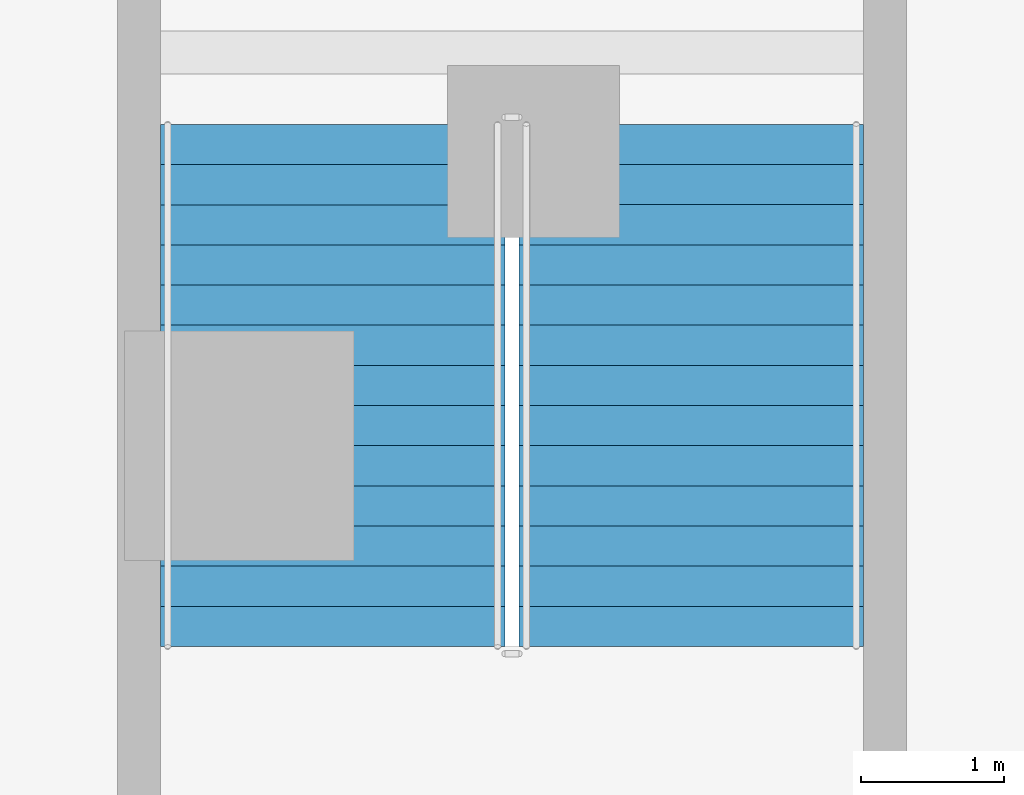
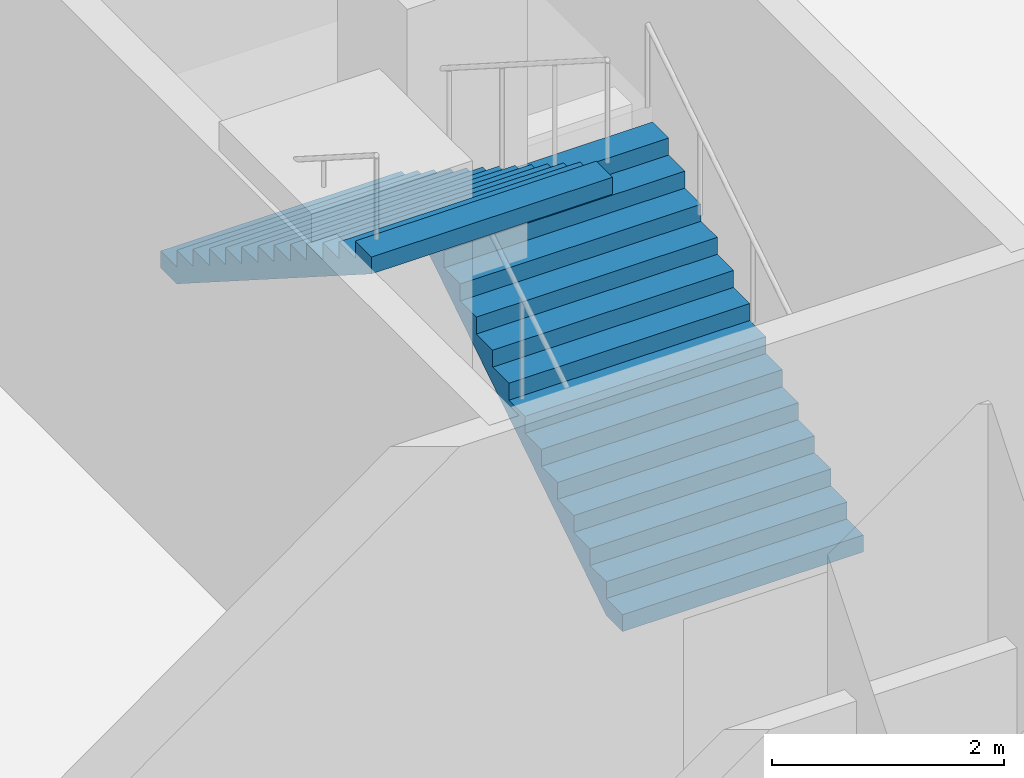
# One storey, part 21 of 35: 2 stair flights, 1 element without a shape of its own.
"""IFC4 building model written with IfcOpenShell, lengths in metres."""

from ifc_helpers import new_model, si_unit, direction, frame, origin, place, context, subcontext, project, spatial, triangles, source, transform, mapped, material, type_object, element, aggregate, save


model = new_model("IFC4")

# Units and contexts
model_context = context("Model", 3, precision=1e-05, world=origin(), true_north=direction((0.0, 1.0)))
body_context = subcontext(model_context, "Body", "Model", "MODEL_VIEW")
ifc_project = project(units=[si_unit("LENGTHUNIT", "METRE"), si_unit("AREAUNIT", "SQUARE_METRE"), si_unit("VOLUMEUNIT", "CUBIC_METRE"), si_unit("PLANEANGLEUNIT", "RADIAN"), si_unit("MASSUNIT", "GRAM", prefix="KILO")], contexts=[model_context])

# Site, building, storey
site_placement = place(None, origin())
site = spatial("IfcSite", under=ifc_project, at=site_placement, CompositionType="ELEMENT")
building_placement = place(site_placement, origin())
building = spatial("IfcBuilding", under=site, at=building_placement, Name="Ogive Portal Towers", CompositionType="ELEMENT")
storey_placement = place(building_placement, frame((0.0, 0.0, 23.5)))
storey = spatial("IfcBuildingStorey", under=building, at=storey_placement, Name="L04", CompositionType="ELEMENT", Elevation=23.5)

# Stair, stair flights
ifc_material = material(Name="Concrete C40/50", Category="concrete")
stair_type = type_object("IfcStairType", Name="INT-STAIR", PredefinedType="HALF_TURN_STAIR", material=ifc_material)
stair_placement = place(storey_placement, origin())
stair = element("IfcStair", 1, at=stair_placement, inside=storey, type_object=stair_type, Name="L04 Exit Stair ST-P1", PredefinedType="HALF_TURN_STAIR")
stair_flight_type = type_object("IfcStairFlightType", Name="INT-FLIGHT", PredefinedType="STRAIGHT", material=ifc_material)
shared_shape = source(origin(), body_context, "Body", "Tessellation", [
    triangles([(0.0, -1.199951171875, 0.0), (0.0, -0.6943359375, 0.0), (0.0, -0.35546875, 0.0), (0.0, -0.14990234375, 0.0), (0.0, -0.04443359375, 0.0), (0.0, -0.005615234375, 0.0), (0.0, 0.0, 0.0), (0.0, 0.005615234375, 0.0), (0.0, 0.04443359375, 0.0), (0.0, 0.14990234375, 0.0), (0.0, 0.35546875, 0.0), (0.0, 0.6943359375, 0.0), (0.0, 1.199951171875, 0.0), (0.0, -1.199951171875, 0.178466796875), (0.0, -0.6943359375, 0.178466796875), (0.0, -0.35546875, 0.178466796875), (0.0, -0.14990234375, 0.178466796875), (0.0, -0.04443359375, 0.178466796875), (0.0, -0.005615234375, 0.178466796875), (0.0, 0.0, 0.178466796875), (0.0, 0.005615234375, 0.178466796875), (0.0, 0.04443359375, 0.178466796875), (0.0, 0.14990234375, 0.178466796875), (0.0, 0.35546875, 0.178466796875), (0.0, 0.6943359375, 0.178466796875), (0.0, 1.199951171875, 0.178466796875), (0.280029296875, -1.199951171875, 0.178466796875), (0.280029296875, -0.6943359375, 0.178466796875), (0.280029296875, -0.35546875, 0.178466796875), (0.280029296875, -0.14990234375, 0.178466796875), (0.280029296875, -0.04443359375, 0.178466796875), (0.280029296875, -0.005615234375, 0.178466796875), (0.280029296875, 0.0, 0.178466796875), (0.280029296875, 0.005615234375, 0.178466796875), (0.280029296875, 0.04443359375, 0.178466796875), (0.280029296875, 0.14990234375, 0.178466796875), (0.280029296875, 0.35546875, 0.178466796875), (0.280029296875, 0.6943359375, 0.178466796875), (0.280029296875, 1.199951171875, 0.178466796875), (0.280029296875, -1.199951171875, 0.357177734375), (0.280029296875, -0.6943359375, 0.357177734375), (0.280029296875, -0.35546875, 0.357177734375), (0.280029296875, -0.14990234375, 0.357177734375), (0.280029296875, -0.04443359375, 0.357177734375), (0.280029296875, -0.005615234375, 0.357177734375), (0.280029296875, 0.0, 0.357177734375), (0.280029296875, 0.005615234375, 0.357177734375), (0.280029296875, 0.04443359375, 0.357177734375), (0.280029296875, 0.14990234375, 0.357177734375), (0.280029296875, 0.35546875, 0.357177734375), (0.280029296875, 0.6943359375, 0.357177734375), (0.280029296875, 1.199951171875, 0.357177734375), (0.56005859375, -1.199951171875, 0.357177734375), (0.56005859375, -0.6943359375, 0.357177734375), (0.56005859375, -0.35546875, 0.357177734375), (0.56005859375, -0.14990234375, 0.357177734375), (0.56005859375, -0.04443359375, 0.357177734375), (0.56005859375, -0.005615234375, 0.357177734375), (0.56005859375, 0.0, 0.357177734375), (0.56005859375, 0.005615234375, 0.357177734375), (0.56005859375, 0.04443359375, 0.357177734375), (0.56005859375, 0.14990234375, 0.357177734375), (0.56005859375, 0.35546875, 0.357177734375), (0.56005859375, 0.6943359375, 0.357177734375), (0.56005859375, 1.199951171875, 0.357177734375), (0.56005859375, -1.199951171875, 0.53564453125), (0.56005859375, -0.6943359375, 0.53564453125), (0.56005859375, -0.35546875, 0.53564453125), (0.56005859375, -0.14990234375, 0.53564453125), (0.56005859375, -0.04443359375, 0.53564453125), (0.56005859375, -0.005615234375, 0.53564453125), (0.56005859375, 0.0, 0.53564453125), (0.56005859375, 0.005615234375, 0.53564453125), (0.56005859375, 0.04443359375, 0.53564453125), (0.56005859375, 0.14990234375, 0.53564453125), (0.56005859375, 0.35546875, 0.53564453125), (0.56005859375, 0.6943359375, 0.53564453125), (0.56005859375, 1.199951171875, 0.53564453125), (0.840087890625, -1.199951171875, 0.53564453125), (0.840087890625, -0.6943359375, 0.53564453125), (0.840087890625, -0.35546875, 0.53564453125), (0.840087890625, -0.14990234375, 0.53564453125), (0.840087890625, -0.04443359375, 0.53564453125), (0.840087890625, -0.005615234375, 0.53564453125), (0.840087890625, 0.0, 0.53564453125), (0.840087890625, 0.005615234375, 0.53564453125), (0.840087890625, 0.04443359375, 0.53564453125), (0.840087890625, 0.14990234375, 0.53564453125), (0.840087890625, 0.35546875, 0.53564453125), (0.840087890625, 0.6943359375, 0.53564453125), (0.840087890625, 1.199951171875, 0.53564453125), (0.840087890625, -1.199951171875, 0.71435546875), (0.840087890625, -0.6943359375, 0.71435546875), (0.840087890625, -0.35546875, 0.71435546875), (0.840087890625, -0.14990234375, 0.71435546875), (0.840087890625, -0.04443359375, 0.71435546875), (0.840087890625, -0.005615234375, 0.71435546875), (0.840087890625, 0.0, 0.71435546875), (0.840087890625, 0.005615234375, 0.71435546875), (0.840087890625, 0.04443359375, 0.71435546875), (0.840087890625, 0.14990234375, 0.71435546875), (0.840087890625, 0.35546875, 0.71435546875), (0.840087890625, 0.6943359375, 0.71435546875), (0.840087890625, 1.199951171875, 0.71435546875), (1.1201171875, -1.199951171875, 0.71435546875), (1.1201171875, -0.6943359375, 0.71435546875), (1.1201171875, -0.35546875, 0.71435546875), (1.1201171875, -0.14990234375, 0.71435546875), (1.1201171875, -0.04443359375, 0.71435546875), (1.1201171875, -0.005615234375, 0.71435546875), (1.1201171875, 0.0, 0.71435546875), (1.1201171875, 0.005615234375, 0.71435546875), (1.1201171875, 0.04443359375, 0.71435546875), (1.1201171875, 0.14990234375, 0.71435546875), (1.1201171875, 0.35546875, 0.71435546875), (1.1201171875, 0.6943359375, 0.71435546875), (1.1201171875, 1.199951171875, 0.71435546875), (1.1201171875, -1.199951171875, 0.892822265625), (1.1201171875, -0.6943359375, 0.892822265625), (1.1201171875, -0.35546875, 0.892822265625), (1.1201171875, -0.14990234375, 0.892822265625), (1.1201171875, -0.04443359375, 0.892822265625), (1.1201171875, -0.005615234375, 0.892822265625), (1.1201171875, 0.0, 0.892822265625), (1.1201171875, 0.005615234375, 0.892822265625), (1.1201171875, 0.04443359375, 0.892822265625), (1.1201171875, 0.14990234375, 0.892822265625), (1.1201171875, 0.35546875, 0.892822265625), (1.1201171875, 0.6943359375, 0.892822265625), (1.1201171875, 1.199951171875, 0.892822265625), (1.39990234375, -1.199951171875, 0.892822265625), (1.39990234375, -0.6943359375, 0.892822265625), (1.39990234375, -0.35546875, 0.892822265625), (1.39990234375, -0.14990234375, 0.892822265625), (1.39990234375, -0.04443359375, 0.892822265625), (1.39990234375, -0.005615234375, 0.892822265625), (1.39990234375, 0.0, 0.892822265625), (1.39990234375, 0.005615234375, 0.892822265625), (1.39990234375, 0.04443359375, 0.892822265625), (1.39990234375, 0.14990234375, 0.892822265625), (1.39990234375, 0.35546875, 0.892822265625), (1.39990234375, 0.6943359375, 0.892822265625), (1.39990234375, 1.199951171875, 0.892822265625), (1.39990234375, -1.199951171875, 1.071533203125), (1.39990234375, -0.6943359375, 1.071533203125), (1.39990234375, -0.35546875, 1.071533203125), (1.39990234375, -0.14990234375, 1.071533203125), (1.39990234375, -0.04443359375, 1.071533203125), (1.39990234375, -0.005615234375, 1.071533203125), (1.39990234375, 0.0, 1.071533203125), (1.39990234375, 0.005615234375, 1.071533203125), (1.39990234375, 0.04443359375, 1.071533203125), (1.39990234375, 0.14990234375, 1.071533203125), (1.39990234375, 0.35546875, 1.071533203125), (1.39990234375, 0.6943359375, 1.071533203125), (1.39990234375, 1.199951171875, 1.071533203125), (1.679931640625, -1.199951171875, 1.071533203125), (1.679931640625, -0.6943359375, 1.071533203125), (1.679931640625, -0.35546875, 1.071533203125), (1.679931640625, -0.14990234375, 1.071533203125), (1.679931640625, -0.04443359375, 1.071533203125), (1.679931640625, -0.005615234375, 1.071533203125), (1.679931640625, 0.0, 1.071533203125), (1.679931640625, 0.005615234375, 1.071533203125), (1.679931640625, 0.04443359375, 1.071533203125), (1.679931640625, 0.14990234375, 1.071533203125), (1.679931640625, 0.35546875, 1.071533203125), (1.679931640625, 0.6943359375, 1.071533203125), (1.679931640625, 1.199951171875, 1.071533203125), (1.679931640625, -1.199951171875, 1.25), (1.679931640625, -0.6943359375, 1.25), (1.679931640625, -0.35546875, 1.25), (1.679931640625, -0.14990234375, 1.25), (1.679931640625, -0.04443359375, 1.25), (1.679931640625, -0.005615234375, 1.25), (1.679931640625, 0.0, 1.25), (1.679931640625, 0.005615234375, 1.25), (1.679931640625, 0.04443359375, 1.25), (1.679931640625, 0.14990234375, 1.25), (1.679931640625, 0.35546875, 1.25), (1.679931640625, 0.6943359375, 1.25), (1.679931640625, 1.199951171875, 1.25), (1.9599609375, -1.199951171875, 1.25), (1.9599609375, -0.6943359375, 1.25), (1.9599609375, -0.35546875, 1.25), (1.9599609375, -0.14990234375, 1.25), (1.9599609375, -0.04443359375, 1.25), (1.9599609375, -0.005615234375, 1.25), (1.9599609375, 0.0, 1.25), (1.9599609375, 0.005615234375, 1.25), (1.9599609375, 0.04443359375, 1.25), (1.9599609375, 0.14990234375, 1.25), (1.9599609375, 0.35546875, 1.25), (1.9599609375, 0.6943359375, 1.25), (1.9599609375, 1.199951171875, 1.25), (1.9599609375, -1.199951171875, 1.428466796875), (1.9599609375, -0.6943359375, 1.428466796875), (1.9599609375, -0.35546875, 1.428466796875), (1.9599609375, -0.14990234375, 1.428466796875), (1.9599609375, -0.04443359375, 1.428466796875), (1.9599609375, -0.005615234375, 1.428466796875), (1.9599609375, 0.0, 1.428466796875), (1.9599609375, 0.005615234375, 1.428466796875), (1.9599609375, 0.04443359375, 1.428466796875), (1.9599609375, 0.14990234375, 1.428466796875), (1.9599609375, 0.35546875, 1.428466796875), (1.9599609375, 0.6943359375, 1.428466796875), (1.9599609375, 1.199951171875, 1.428466796875), (2.239990234375, -1.199951171875, 1.428466796875), (2.239990234375, -0.6943359375, 1.428466796875), (2.239990234375, -0.35546875, 1.428466796875), (2.239990234375, -0.14990234375, 1.428466796875), (2.239990234375, -0.04443359375, 1.428466796875), (2.239990234375, -0.005615234375, 1.428466796875), (2.239990234375, 0.0, 1.428466796875), (2.239990234375, 0.005615234375, 1.428466796875), (2.239990234375, 0.04443359375, 1.428466796875), (2.239990234375, 0.14990234375, 1.428466796875), (2.239990234375, 0.35546875, 1.428466796875), (2.239990234375, 0.6943359375, 1.428466796875), (2.239990234375, 1.199951171875, 1.428466796875), (2.239990234375, -1.199951171875, 1.607177734375), (2.239990234375, -0.6943359375, 1.607177734375), (2.239990234375, -0.35546875, 1.607177734375), (2.239990234375, -0.14990234375, 1.607177734375), (2.239990234375, -0.04443359375, 1.607177734375), (2.239990234375, -0.005615234375, 1.607177734375), (2.239990234375, 0.0, 1.607177734375), (2.239990234375, 0.005615234375, 1.607177734375), (2.239990234375, 0.04443359375, 1.607177734375), (2.239990234375, 0.14990234375, 1.607177734375), (2.239990234375, 0.35546875, 1.607177734375), (2.239990234375, 0.6943359375, 1.607177734375), (2.239990234375, 1.199951171875, 1.607177734375), (2.52001953125, -1.199951171875, 1.607177734375), (2.52001953125, -0.6943359375, 1.607177734375), (2.52001953125, -0.35546875, 1.607177734375), (2.52001953125, -0.14990234375, 1.607177734375), (2.52001953125, -0.04443359375, 1.607177734375), (2.52001953125, -0.005615234375, 1.607177734375), (2.52001953125, 0.0, 1.607177734375), (2.52001953125, 0.005615234375, 1.607177734375), (2.52001953125, 0.04443359375, 1.607177734375), (2.52001953125, 0.14990234375, 1.607177734375), (2.52001953125, 0.35546875, 1.607177734375), (2.52001953125, 0.6943359375, 1.607177734375), (2.52001953125, 1.199951171875, 1.607177734375), (2.52001953125, -1.199951171875, 1.78564453125), (2.52001953125, -0.6943359375, 1.78564453125), (2.52001953125, -0.35546875, 1.78564453125), (2.52001953125, -0.14990234375, 1.78564453125), (2.52001953125, -0.04443359375, 1.78564453125), (2.52001953125, -0.005615234375, 1.78564453125), (2.52001953125, 0.0, 1.78564453125), (2.52001953125, 0.005615234375, 1.78564453125), (2.52001953125, 0.04443359375, 1.78564453125), (2.52001953125, 0.14990234375, 1.78564453125), (2.52001953125, 0.35546875, 1.78564453125), (2.52001953125, 0.6943359375, 1.78564453125), (2.52001953125, 1.199951171875, 1.78564453125), (2.800048828125, -1.199951171875, 1.78564453125), (2.800048828125, -0.6943359375, 1.78564453125), (2.800048828125, -0.35546875, 1.78564453125), (2.800048828125, -0.14990234375, 1.78564453125), (2.800048828125, -0.04443359375, 1.78564453125), (2.800048828125, -0.005615234375, 1.78564453125), (2.800048828125, 0.0, 1.78564453125), (2.800048828125, 0.005615234375, 1.78564453125), (2.800048828125, 0.04443359375, 1.78564453125), (2.800048828125, 0.14990234375, 1.78564453125), (2.800048828125, 0.35546875, 1.78564453125), (2.800048828125, 0.6943359375, 1.78564453125), (2.800048828125, 1.199951171875, 1.78564453125), (2.800048828125, -1.199951171875, 1.96435546875), (2.800048828125, -0.6943359375, 1.96435546875), (2.800048828125, -0.35546875, 1.96435546875), (2.800048828125, -0.14990234375, 1.96435546875), (2.800048828125, -0.04443359375, 1.96435546875), (2.800048828125, -0.005615234375, 1.96435546875), (2.800048828125, 0.0, 1.96435546875), (2.800048828125, 0.005615234375, 1.96435546875), (2.800048828125, 0.04443359375, 1.96435546875), (2.800048828125, 0.14990234375, 1.96435546875), (2.800048828125, 0.35546875, 1.96435546875), (2.800048828125, 0.6943359375, 1.96435546875), (2.800048828125, 1.199951171875, 1.96435546875), (3.080078125, -1.199951171875, 1.96435546875), (3.080078125, -0.6943359375, 1.96435546875), (3.080078125, -0.35546875, 1.96435546875), (3.080078125, -0.14990234375, 1.96435546875), (3.080078125, -0.04443359375, 1.96435546875), (3.080078125, -0.005615234375, 1.96435546875), (3.080078125, 0.0, 1.96435546875), (3.080078125, 0.005615234375, 1.96435546875), (3.080078125, 0.04443359375, 1.96435546875), (3.080078125, 0.14990234375, 1.96435546875), (3.080078125, 0.35546875, 1.96435546875), (3.080078125, 0.6943359375, 1.96435546875), (3.080078125, 1.199951171875, 1.96435546875), (3.080078125, -1.199951171875, 2.142822265625), (3.080078125, -0.6943359375, 2.142822265625), (3.080078125, -0.35546875, 2.142822265625), (3.080078125, -0.14990234375, 2.142822265625), (3.080078125, -0.04443359375, 2.142822265625), (3.080078125, -0.005615234375, 2.142822265625), (3.080078125, 0.0, 2.142822265625), (3.080078125, 0.005615234375, 2.142822265625), (3.080078125, 0.04443359375, 2.142822265625), (3.080078125, 0.14990234375, 2.142822265625), (3.080078125, 0.35546875, 2.142822265625), (3.080078125, 0.6943359375, 2.142822265625), (3.080078125, 1.199951171875, 2.142822265625), (3.360107421875, -1.199951171875, 2.142822265625), (3.360107421875, -0.6943359375, 2.142822265625), (3.360107421875, -0.35546875, 2.142822265625), (3.360107421875, -0.14990234375, 2.142822265625), (3.360107421875, -0.04443359375, 2.142822265625), (3.360107421875, -0.005615234375, 2.142822265625), (3.360107421875, 0.0, 2.142822265625), (3.360107421875, 0.005615234375, 2.142822265625), (3.360107421875, 0.04443359375, 2.142822265625), (3.360107421875, 0.14990234375, 2.142822265625), (3.360107421875, 0.35546875, 2.142822265625), (3.360107421875, 0.6943359375, 2.142822265625), (3.360107421875, 1.199951171875, 2.142822265625), (3.360107421875, -1.199951171875, 2.321533203125), (3.360107421875, -0.6943359375, 2.321533203125), (3.360107421875, -0.35546875, 2.321533203125), (3.360107421875, -0.14990234375, 2.321533203125), (3.360107421875, -0.04443359375, 2.321533203125), (3.360107421875, -0.005615234375, 2.321533203125), (3.360107421875, 0.0, 2.321533203125), (3.360107421875, 0.005615234375, 2.321533203125), (3.360107421875, 0.04443359375, 2.321533203125), (3.360107421875, 0.14990234375, 2.321533203125), (3.360107421875, 0.35546875, 2.321533203125), (3.360107421875, 0.6943359375, 2.321533203125), (3.360107421875, 1.199951171875, 2.321533203125), (3.639892578125, -1.199951171875, 2.321533203125), (3.639892578125, -0.6943359375, 2.321533203125), (3.639892578125, -0.35546875, 2.321533203125), (3.639892578125, -0.14990234375, 2.321533203125), (3.639892578125, -0.04443359375, 2.321533203125), (3.639892578125, -0.005615234375, 2.321533203125), (3.639892578125, 0.0, 2.321533203125), (3.639892578125, 0.005615234375, 2.321533203125), (3.639892578125, 0.04443359375, 2.321533203125), (3.639892578125, 0.14990234375, 2.321533203125), (3.639892578125, 0.35546875, 2.321533203125), (3.639892578125, 0.6943359375, 2.321533203125), (3.639892578125, 1.199951171875, 2.321533203125), (3.639892578125, -1.199951171875, 2.1435546875), (3.639892578125, -0.6943359375, 2.1435546875), (3.639892578125, -0.35546875, 2.1435546875), (3.639892578125, -0.14990234375, 2.1435546875), (3.639892578125, -0.04443359375, 2.1435546875), (3.639892578125, -0.005615234375, 2.1435546875), (3.639892578125, 0.0, 2.1435546875), (3.639892578125, 0.005615234375, 2.1435546875), (3.639892578125, 0.04443359375, 2.1435546875), (3.639892578125, 0.14990234375, 2.1435546875), (3.639892578125, 0.35546875, 2.1435546875), (3.639892578125, 0.6943359375, 2.1435546875), (3.639892578125, 1.199951171875, 2.1435546875), (0.27880859375, -1.199951171875, 0.0), (0.27880859375, -0.6943359375, 0.0), (0.27880859375, -0.35546875, 0.0), (0.27880859375, -0.14990234375, 0.0), (0.27880859375, -0.04443359375, 0.0), (0.27880859375, -0.005615234375, 0.0), (0.27880859375, 0.0, 0.0), (0.27880859375, 0.005615234375, 0.0), (0.27880859375, 0.04443359375, 0.0), (0.27880859375, 0.14990234375, 0.0), (0.27880859375, 0.35546875, 0.0), (0.27880859375, 0.6943359375, 0.0), (0.27880859375, 1.199951171875, 0.0)], [[1, 14, 15], [1, 15, 2], [2, 15, 16], [2, 16, 3], [3, 16, 17], [3, 17, 4], [4, 17, 18], [4, 18, 5], [5, 18, 19], [5, 19, 6], [6, 19, 20], [6, 20, 7], [7, 20, 21], [7, 21, 8], [8, 21, 22], [8, 22, 9], [9, 22, 23], [9, 23, 10], [10, 23, 24], [10, 24, 11], [11, 24, 25], [11, 25, 12], [12, 25, 26], [12, 26, 13], [14, 27, 28], [14, 28, 15], [15, 28, 29], [15, 29, 16], [16, 29, 30], [16, 30, 17], [17, 30, 31], [17, 31, 18], [18, 31, 32], [18, 32, 19], [19, 32, 33], [19, 33, 20], [20, 33, 34], [20, 34, 21], [21, 34, 35], [21, 35, 22], [22, 35, 36], [22, 36, 23], [23, 36, 37], [23, 37, 24], [24, 37, 38], [24, 38, 25], [25, 38, 39], [25, 39, 26], [27, 40, 41], [27, 41, 28], [28, 41, 42], [28, 42, 29], [29, 42, 43], [29, 43, 30], [30, 43, 44], [30, 44, 31], [31, 44, 45], [31, 45, 32], [32, 45, 46], [32, 46, 33], [33, 46, 47], [33, 47, 34], [34, 47, 48], [34, 48, 35], [35, 48, 49], [35, 49, 36], [36, 49, 50], [36, 50, 37], [37, 50, 51], [37, 51, 38], [38, 51, 52], [38, 52, 39], [40, 53, 54], [40, 54, 41], [41, 54, 55], [41, 55, 42], [42, 55, 56], [42, 56, 43], [43, 56, 57], [43, 57, 44], [44, 57, 58], [44, 58, 45], [45, 58, 59], [45, 59, 46], [46, 59, 60], [46, 60, 47], [47, 60, 61], [47, 61, 48], [48, 61, 62], [48, 62, 49], [49, 62, 63], [49, 63, 50], [50, 63, 64], [50, 64, 51], [51, 64, 65], [51, 65, 52], [53, 66, 67], [53, 67, 54], [54, 67, 68], [54, 68, 55], [55, 68, 69], [55, 69, 56], [56, 69, 70], [56, 70, 57], [57, 70, 71], [57, 71, 58], [58, 71, 72], [58, 72, 59], [59, 72, 73], [59, 73, 60], [60, 73, 74], [60, 74, 61], [61, 74, 75], [61, 75, 62], [62, 75, 76], [62, 76, 63], [63, 76, 77], [63, 77, 64], [64, 77, 78], [64, 78, 65], [66, 79, 80], [66, 80, 67], [67, 80, 81], [67, 81, 68], [68, 81, 82], [68, 82, 69], [69, 82, 83], [69, 83, 70], [70, 83, 84], [70, 84, 71], [71, 84, 85], [71, 85, 72], [72, 85, 86], [72, 86, 73], [73, 86, 87], [73, 87, 74], [74, 87, 88], [74, 88, 75], [75, 88, 89], [75, 89, 76], [76, 89, 90], [76, 90, 77], [77, 90, 91], [77, 91, 78], [79, 92, 93], [79, 93, 80], [80, 93, 94], [80, 94, 81], [81, 94, 95], [81, 95, 82], [82, 95, 96], [82, 96, 83], [83, 96, 97], [83, 97, 84], [84, 97, 98], [84, 98, 85], [85, 98, 99], [85, 99, 86], [86, 99, 100], [86, 100, 87], [87, 100, 101], [87, 101, 88], [88, 101, 102], [88, 102, 89], [89, 102, 103], [89, 103, 90], [90, 103, 104], [90, 104, 91], [92, 105, 106], [92, 106, 93], [93, 106, 107], [93, 107, 94], [94, 107, 108], [94, 108, 95], [95, 108, 109], [95, 109, 96], [96, 109, 110], [96, 110, 97], [97, 110, 111], [97, 111, 98], [98, 111, 112], [98, 112, 99], [99, 112, 113], [99, 113, 100], [100, 113, 114], [100, 114, 101], [101, 114, 115], [101, 115, 102], [102, 115, 116], [102, 116, 103], [103, 116, 117], [103, 117, 104], [105, 118, 119], [105, 119, 106], [106, 119, 120], [106, 120, 107], [107, 120, 121], [107, 121, 108], [108, 121, 122], [108, 122, 109], [109, 122, 123], [109, 123, 110], [110, 123, 124], [110, 124, 111], [111, 124, 125], [111, 125, 112], [112, 125, 126], [112, 126, 113], [113, 126, 127], [113, 127, 114], [114, 127, 128], [114, 128, 115], [115, 128, 129], [115, 129, 116], [116, 129, 130], [116, 130, 117], [118, 131, 132], [118, 132, 119], [119, 132, 133], [119, 133, 120], [120, 133, 134], [120, 134, 121], [121, 134, 135], [121, 135, 122], [122, 135, 136], [122, 136, 123], [123, 136, 137], [123, 137, 124], [124, 137, 138], [124, 138, 125], [125, 138, 139], [125, 139, 126], [126, 139, 140], [126, 140, 127], [127, 140, 141], [127, 141, 128], [128, 141, 142], [128, 142, 129], [129, 142, 143], [129, 143, 130], [131, 144, 145], [131, 145, 132], [132, 145, 146], [132, 146, 133], [133, 146, 147], [133, 147, 134], [134, 147, 148], [134, 148, 135], [135, 148, 149], [135, 149, 136], [136, 149, 150], [136, 150, 137], [137, 150, 151], [137, 151, 138], [138, 151, 152], [138, 152, 139], [139, 152, 153], [139, 153, 140], [140, 153, 154], [140, 154, 141], [141, 154, 155], [141, 155, 142], [142, 155, 156], [142, 156, 143], [144, 157, 158], [144, 158, 145], [145, 158, 159], [145, 159, 146], [146, 159, 160], [146, 160, 147], [147, 160, 161], [147, 161, 148], [148, 161, 162], [148, 162, 149], [149, 162, 163], [149, 163, 150], [150, 163, 164], [150, 164, 151], [151, 164, 165], [151, 165, 152], [152, 165, 166], [152, 166, 153], [153, 166, 167], [153, 167, 154], [154, 167, 168], [154, 168, 155], [155, 168, 169], [155, 169, 156], [157, 170, 171], [157, 171, 158], [158, 171, 172], [158, 172, 159], [159, 172, 173], [159, 173, 160], [160, 173, 174], [160, 174, 161], [161, 174, 175], [161, 175, 162], [162, 175, 176], [162, 176, 163], [163, 176, 177], [163, 177, 164], [164, 177, 178], [164, 178, 165], [165, 178, 179], [165, 179, 166], [166, 179, 180], [166, 180, 167], [167, 180, 181], [167, 181, 168], [168, 181, 182], [168, 182, 169], [170, 183, 184], [170, 184, 171], [171, 184, 185], [171, 185, 172], [172, 185, 186], [172, 186, 173], [173, 186, 187], [173, 187, 174], [174, 187, 188], [174, 188, 175], [175, 188, 189], [175, 189, 176], [176, 189, 190], [176, 190, 177], [177, 190, 191], [177, 191, 178], [178, 191, 192], [178, 192, 179], [179, 192, 193], [179, 193, 180], [180, 193, 194], [180, 194, 181], [181, 194, 195], [181, 195, 182], [183, 196, 197], [183, 197, 184], [184, 197, 198], [184, 198, 185], [185, 198, 199], [185, 199, 186], [186, 199, 200], [186, 200, 187], [187, 200, 201], [187, 201, 188], [188, 201, 202], [188, 202, 189], [189, 202, 203], [189, 203, 190], [190, 203, 204], [190, 204, 191], [191, 204, 205], [191, 205, 192], [192, 205, 206], [192, 206, 193], [193, 206, 207], [193, 207, 194], [194, 207, 208], [194, 208, 195], [196, 209, 210], [196, 210, 197], [197, 210, 211], [197, 211, 198], [198, 211, 212], [198, 212, 199], [199, 212, 213], [199, 213, 200], [200, 213, 214], [200, 214, 201], [201, 214, 215], [201, 215, 202], [202, 215, 216], [202, 216, 203], [203, 216, 217], [203, 217, 204], [204, 217, 218], [204, 218, 205], [205, 218, 219], [205, 219, 206], [206, 219, 220], [206, 220, 207], [207, 220, 221], [207, 221, 208], [209, 222, 223], [209, 223, 210], [210, 223, 224], [210, 224, 211], [211, 224, 225], [211, 225, 212], [212, 225, 226], [212, 226, 213], [213, 226, 227], [213, 227, 214], [214, 227, 228], [214, 228, 215], [215, 228, 229], [215, 229, 216], [216, 229, 230], [216, 230, 217], [217, 230, 231], [217, 231, 218], [218, 231, 232], [218, 232, 219], [219, 232, 233], [219, 233, 220], [220, 233, 234], [220, 234, 221], [222, 235, 236], [222, 236, 223], [223, 236, 237], [223, 237, 224], [224, 237, 238], [224, 238, 225], [225, 238, 239], [225, 239, 226], [226, 239, 240], [226, 240, 227], [227, 240, 241], [227, 241, 228], [228, 241, 242], [228, 242, 229], [229, 242, 243], [229, 243, 230], [230, 243, 244], [230, 244, 231], [231, 244, 245], [231, 245, 232], [232, 245, 246], [232, 246, 233], [233, 246, 247], [233, 247, 234], [235, 248, 249], [235, 249, 236], [236, 249, 250], [236, 250, 237], [237, 250, 251], [237, 251, 238], [238, 251, 252], [238, 252, 239], [239, 252, 253], [239, 253, 240], [240, 253, 254], [240, 254, 241], [241, 254, 255], [241, 255, 242], [242, 255, 256], [242, 256, 243], [243, 256, 257], [243, 257, 244], [244, 257, 258], [244, 258, 245], [245, 258, 259], [245, 259, 246], [246, 259, 260], [246, 260, 247], [248, 261, 262], [248, 262, 249], [249, 262, 263], [249, 263, 250], [250, 263, 264], [250, 264, 251], [251, 264, 265], [251, 265, 252], [252, 265, 266], [252, 266, 253], [253, 266, 267], [253, 267, 254], [254, 267, 268], [254, 268, 255], [255, 268, 269], [255, 269, 256], [256, 269, 270], [256, 270, 257], [257, 270, 271], [257, 271, 258], [258, 271, 272], [258, 272, 259], [259, 272, 273], [259, 273, 260], [261, 274, 275], [261, 275, 262], [262, 275, 276], [262, 276, 263], [263, 276, 277], [263, 277, 264], [264, 277, 278], [264, 278, 265], [265, 278, 279], [265, 279, 266], [266, 279, 280], [266, 280, 267], [267, 280, 281], [267, 281, 268], [268, 281, 282], [268, 282, 269], [269, 282, 283], [269, 283, 270], [270, 283, 284], [270, 284, 271], [271, 284, 285], [271, 285, 272], [272, 285, 286], [272, 286, 273], [274, 287, 288], [274, 288, 275], [275, 288, 289], [275, 289, 276], [276, 289, 290], [276, 290, 277], [277, 290, 291], [277, 291, 278], [278, 291, 292], [278, 292, 279], [279, 292, 293], [279, 293, 280], [280, 293, 294], [280, 294, 281], [281, 294, 295], [281, 295, 282], [282, 295, 296], [282, 296, 283], [283, 296, 297], [283, 297, 284], [284, 297, 298], [284, 298, 285], [285, 298, 299], [285, 299, 286], [287, 300, 301], [287, 301, 288], [288, 301, 302], [288, 302, 289], [289, 302, 303], [289, 303, 290], [290, 303, 304], [290, 304, 291], [291, 304, 305], [291, 305, 292], [292, 305, 306], [292, 306, 293], [293, 306, 307], [293, 307, 294], [294, 307, 308], [294, 308, 295], [295, 308, 309], [295, 309, 296], [296, 309, 310], [296, 310, 297], [297, 310, 311], [297, 311, 298], [298, 311, 312], [298, 312, 299], [300, 313, 314], [300, 314, 301], [301, 314, 315], [301, 315, 302], [302, 315, 316], [302, 316, 303], [303, 316, 317], [303, 317, 304], [304, 317, 318], [304, 318, 305], [305, 318, 319], [305, 319, 306], [306, 319, 320], [306, 320, 307], [307, 320, 321], [307, 321, 308], [308, 321, 322], [308, 322, 309], [309, 322, 323], [309, 323, 310], [310, 323, 324], [310, 324, 311], [311, 324, 325], [311, 325, 312], [313, 326, 327], [313, 327, 314], [314, 327, 328], [314, 328, 315], [315, 328, 329], [315, 329, 316], [316, 329, 330], [316, 330, 317], [317, 330, 331], [317, 331, 318], [318, 331, 332], [318, 332, 319], [319, 332, 333], [319, 333, 320], [320, 333, 334], [320, 334, 321], [321, 334, 335], [321, 335, 322], [322, 335, 336], [322, 336, 323], [323, 336, 337], [323, 337, 324], [324, 337, 338], [324, 338, 325], [326, 339, 340], [326, 340, 327], [327, 340, 341], [327, 341, 328], [328, 341, 342], [328, 342, 329], [329, 342, 343], [329, 343, 330], [330, 343, 344], [330, 344, 331], [331, 344, 345], [331, 345, 332], [332, 345, 346], [332, 346, 333], [333, 346, 347], [333, 347, 334], [334, 347, 348], [334, 348, 335], [335, 348, 349], [335, 349, 336], [336, 349, 350], [336, 350, 337], [337, 350, 351], [337, 351, 338], [339, 352, 353], [339, 353, 340], [340, 353, 354], [340, 354, 341], [341, 354, 355], [341, 355, 342], [342, 355, 356], [342, 356, 343], [343, 356, 357], [343, 357, 344], [344, 357, 358], [344, 358, 345], [345, 358, 359], [345, 359, 346], [346, 359, 360], [346, 360, 347], [347, 360, 361], [347, 361, 348], [348, 361, 362], [348, 362, 349], [349, 362, 363], [349, 363, 350], [350, 363, 364], [350, 364, 351], [352, 365, 366], [352, 366, 353], [353, 366, 367], [353, 367, 354], [354, 367, 368], [354, 368, 355], [355, 368, 369], [355, 369, 356], [356, 369, 370], [356, 370, 357], [357, 370, 371], [357, 371, 358], [358, 371, 372], [358, 372, 359], [359, 372, 373], [359, 373, 360], [360, 373, 374], [360, 374, 361], [361, 374, 375], [361, 375, 362], [362, 375, 376], [362, 376, 363], [363, 376, 377], [363, 377, 364], [365, 1, 2], [365, 2, 366], [366, 2, 3], [366, 3, 367], [367, 3, 4], [367, 4, 368], [368, 4, 5], [368, 5, 369], [369, 5, 6], [369, 6, 370], [370, 6, 7], [370, 7, 371], [371, 7, 8], [371, 8, 372], [372, 8, 9], [372, 9, 373], [373, 9, 10], [373, 10, 374], [374, 10, 11], [374, 11, 375], [375, 11, 12], [375, 12, 376], [376, 12, 13], [376, 13, 377], [1, 365, 352], [13, 364, 377], [352, 339, 326], [364, 338, 351], [352, 326, 313], [364, 325, 338], [313, 300, 287], [325, 299, 312], [352, 313, 287], [364, 299, 325], [287, 274, 261], [299, 273, 286], [352, 287, 261], [364, 273, 299], [261, 248, 235], [273, 247, 260], [352, 261, 235], [364, 247, 273], [235, 222, 209], [247, 221, 234], [352, 235, 209], [364, 221, 247], [209, 196, 183], [221, 195, 208], [352, 209, 183], [364, 195, 221], [183, 170, 157], [195, 169, 182], [352, 183, 157], [364, 169, 195], [157, 144, 131], [169, 143, 156], [352, 157, 131], [364, 143, 169], [131, 118, 105], [143, 117, 130], [352, 131, 105], [364, 117, 143], [105, 92, 79], [117, 91, 104], [352, 105, 79], [364, 91, 117], [79, 66, 53], [91, 65, 78], [352, 79, 53], [364, 65, 91], [53, 40, 27], [65, 39, 52], [352, 53, 27], [364, 39, 65], [1, 352, 27], [13, 39, 364], [27, 14, 1], [39, 13, 26]], closed=True),
])
stair_flight_1_placement = place(storey_placement, frame((95.60009765625, 36.050048828125, 0.0), z_axis=(0.0, 0.0, 1.0), x_axis=(0.0, 1.0, 0.0)))
stair_flight_1 = element("IfcStairFlight", 2, at=stair_flight_1_placement, type_object=stair_flight_type, Name="ST-P1 flight 1", NumberOfRisers=14, NumberOfTreads=13, PredefinedType="STRAIGHT", RiserHeight=0.178571429, TreadLength=0.28, context=body_context, shape_type="MappedRepresentation", body=[
    mapped(shared_shape, transform((0.0, 0.0, 0.0), scale=1.0)),
])
stair_flight_2_placement = place(storey_placement, frame((93.10009765625, 39.68994140625, 2.5), z_axis=(0.0, 0.0, 1.0), x_axis=(0.0, -1.0, 0.0)))
stair_flight_2 = element("IfcStairFlight", 3, at=stair_flight_2_placement, type_object=stair_flight_type, Name="ST-P1 flight 2", NumberOfRisers=14, NumberOfTreads=13, PredefinedType="STRAIGHT", RiserHeight=0.178571429, TreadLength=0.28, context=body_context, shape_type="MappedRepresentation", body=[
    mapped(shared_shape, transform((0.0, 0.0, 0.0), scale=1.0)),
])
aggregate(stair, [stair_flight_1, stair_flight_2])

save(model, "model.ifc")
